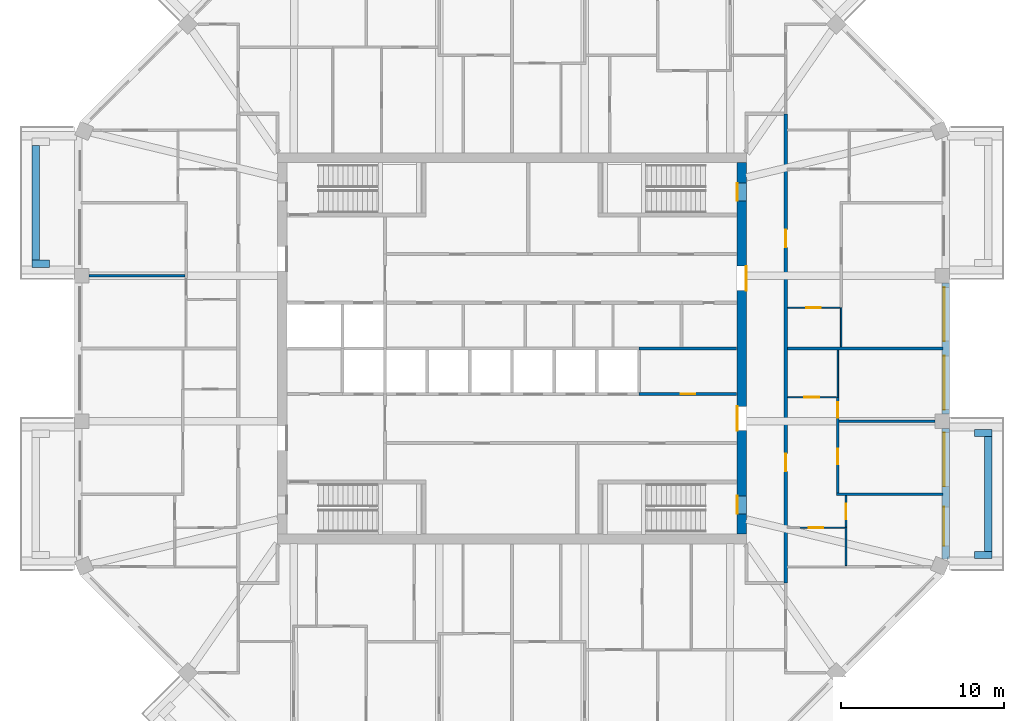
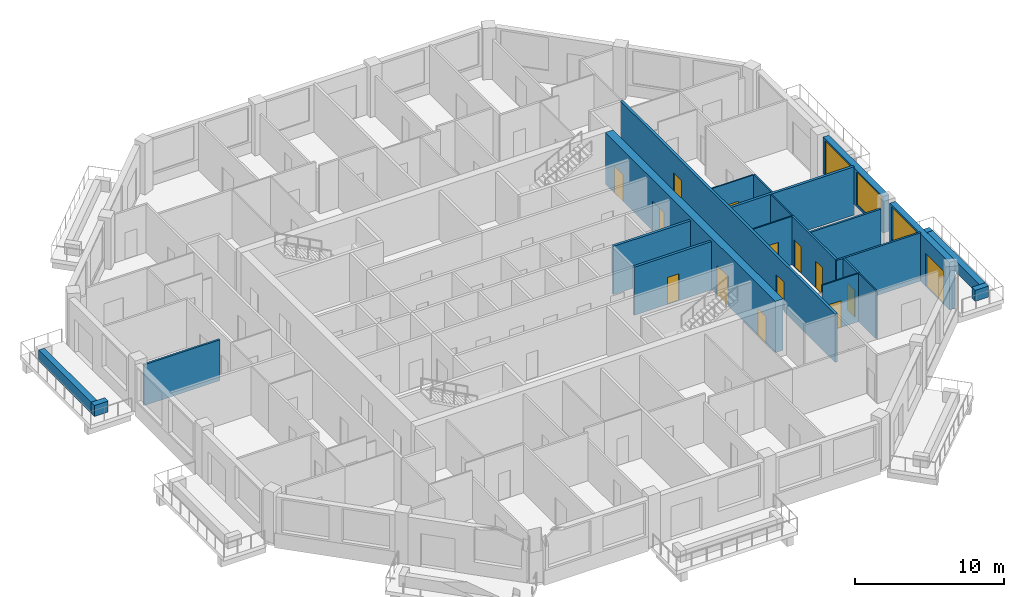
# One storey, part 6 of 12: 23 walls, 14 doors, 3 windows, 17 openings.
"""IFC4 building model written with IfcOpenShell, lengths in metres."""

import ifcopenshell
import ifcopenshell.guid

model = None  # the IFC model being written
_history = None  # IfcOwnerHistory: only IFC2X3 demands one
_inside = {}  # id of a spatial element -> (the spatial element, [elements in it])
_under = {}  # id of a project, library or spatial element -> (it, [spatial elements below it])
_declared = {}  # id of a project -> (the project, [libraries it declares])
_typed = {}  # id of a type object -> (the type object, [elements of that type])
_made_of = {}  # id of a material, layer set ... -> (it, [elements and type objects made of it])


def new_model(schema):
    """Start an empty IFC model of exactly this schema.

    Asked for "IFC4X3", IfcOpenShell would pick the latest addendum, in which some entities
    have other attributes; the version numbers below select the first issue.
    IFC2X3 requires an IfcOwnerHistory on every rooted entity: one is made here for all.
    """
    global model, _history
    if schema == "IFC4X3":
        model = ifcopenshell.file(schema_version=(4, 3, 0, 0))
    else:
        model = ifcopenshell.file(schema=schema)
    _inside.clear()
    _under.clear()
    _declared.clear()
    _typed.clear()
    _made_of.clear()
    _history = None
    if model.schema == "IFC2X3":
        org = make("IfcOrganization", Name="unknown")
        user = make(
            "IfcPersonAndOrganization",
            ThePerson=make("IfcPerson", FamilyName="unknown"),
            TheOrganization=org,
        )
        app = make(
            "IfcApplication",
            ApplicationDeveloper=org,
            Version="unknown",
            ApplicationFullName="unknown",
            ApplicationIdentifier="unknown",
        )
        _history = make(
            "IfcOwnerHistory",
            OwningUser=user,
            OwningApplication=app,
            ChangeAction="ADDED",
            CreationDate=0,
        )
    return model


def make(cls, **values):
    """One entity of the class cls with the attributes given. An attribute that is None is left unset."""
    return model.create_entity(
        cls, **{name: value for name, value in values.items() if value is not None}
    )


def rooted(cls, **values):
    """An entity with a GlobalId (a new one), such as an element, a storey or a relation."""
    return make(cls, GlobalId=ifcopenshell.guid.new(), OwnerHistory=_history, **values)


def si_unit(unit_type, name, prefix=None):
    """IfcSIUnit, for example si_unit("LENGTHUNIT", "METRE", prefix="MILLI")."""
    return make("IfcSIUnit", UnitType=unit_type, Prefix=prefix, Name=name)


def assignment(units):
    """IfcUnitAssignment: the units of a project."""
    return None if units is None else make("IfcUnitAssignment", Units=units)


def point(xyz):
    """IfcCartesianPoint."""
    return None if xyz is None else make("IfcCartesianPoint", Coordinates=xyz)


def direction(xyz):
    """IfcDirection."""
    return None if xyz is None else make("IfcDirection", DirectionRatios=xyz)


def frame(location, z_axis=None, x_axis=None):
    """IfcAxis2Placement3D, a coordinate frame: its origin and axes. An axis left out is left unset."""
    return make(
        "IfcAxis2Placement3D",
        Location=point(location),
        Axis=direction(z_axis),
        RefDirection=direction(x_axis),
    )


def frame_2d(location, x_axis=None):
    """IfcAxis2Placement2D, a coordinate frame in the plane: its origin and x axis."""
    return make(
        "IfcAxis2Placement2D", Location=point(location), RefDirection=direction(x_axis)
    )


def origin():
    """The frame at (0, 0, 0) with its axes left unset."""
    return frame((0.0, 0.0, 0.0))


def place(relative_to, where):
    """IfcLocalPlacement: puts the frame where relative to a parent placement (None: the world)."""
    return make(
        "IfcLocalPlacement", PlacementRelTo=relative_to, RelativePlacement=where
    )


def context(
    kind, dimensions, precision=None, world=None, true_north=None, identifier=None
):
    """IfcGeometricRepresentationContext, for example the 3D "Model" context."""
    return make(
        "IfcGeometricRepresentationContext",
        ContextIdentifier=identifier,
        ContextType=kind,
        CoordinateSpaceDimension=dimensions,
        Precision=precision,
        WorldCoordinateSystem=world,
        TrueNorth=true_north,
    )


def subcontext(parent, identifier, kind, view, scale=None):
    """IfcGeometricRepresentationSubContext, for example "Body" below "Model"."""
    return make(
        "IfcGeometricRepresentationSubContext",
        ContextIdentifier=identifier,
        ContextType=kind,
        ParentContext=parent,
        TargetScale=scale,
        TargetView=view,
    )


def project(units=None, contexts=None):
    """IfcProject with its units and contexts."""
    return rooted(
        "IfcProject",
        Name="project",
        RepresentationContexts=contexts,
        UnitsInContext=assignment(units),
    )


def spatial(cls, under=None, at=None, **own):
    """A site, building, storey or space (cls), placed at a placement, below another one or the project."""
    s = rooted(cls, ObjectPlacement=at, **own)
    if under is not None:
        _under.setdefault(under.id(), (under, []))[1].append(s)
    return s


def profile(cls, at=None, kind="AREA", **sizes):
    """A parametric profile (cls). Its sizes go by their IFC names, for example OverallWidth=200.0."""
    return make(cls, ProfileType=kind, Position=at, **sizes)


def rectangle(**sizes):
    """IfcRectangleProfileDef."""
    return profile("IfcRectangleProfileDef", **sizes)


def extrude(swept, where, along, depth):
    """IfcExtrudedAreaSolid: the profile swept, set in the frame where, extruded along a direction by depth."""
    return make(
        "IfcExtrudedAreaSolid",
        SweptArea=swept,
        Position=where,
        ExtrudedDirection=direction(along),
        Depth=depth,
    )


def shape(context_of_items, identifier, shape_type, items):
    """IfcShapeRepresentation: the items that make up one representation, for example the "Body"."""
    return make(
        "IfcShapeRepresentation",
        ContextOfItems=context_of_items,
        RepresentationIdentifier=identifier,
        RepresentationType=shape_type,
        Items=items,
    )


def material(Name=None, Category=None):
    """IfcMaterial."""
    return make("IfcMaterial", Name=Name, Category=Category)


def layer(
    of_material, thickness, ventilated=None, Name=None, Category=None, Priority=None
):
    """IfcMaterialLayer: one layer of a wall or slab, of a material (None: an air gap)."""
    return make(
        "IfcMaterialLayer",
        Material=of_material,
        LayerThickness=thickness,
        IsVentilated=ventilated,
        Name=Name,
        Category=Category,
        Priority=Priority,
    )


def layer_set(layers, Name=None):
    """IfcMaterialLayerSet."""
    return make("IfcMaterialLayerSet", MaterialLayers=layers, LayerSetName=Name)


def made_of(thing, what):
    """Note that an element or type object is made of a material, layer set ...; save() writes the relation."""
    if what is not None:
        _made_of.setdefault(what.id(), (what, []))[1].append(thing)
    return thing


def type_object(cls, material=None, **own):
    """A type object (cls), such as IfcWallType, which elements share."""
    return made_of(rooted(cls, **own), material)


def element(
    cls,
    number,
    at=None,
    inside=None,
    cuts=None,
    type_object=None,
    material=None,
    context=None,
    identifier="Body",
    shape_type=None,
    held_by="IfcProductDefinitionShape",
    body=None,
    shapes=None,
    **own,
):
    """One element of the class cls, such as IfcWall. Its Tag is "e" and its number.

    at: its placement. inside: the storey or other place that contains it. cuts: it is an
    opening in that element (IfcRelVoidsElement). A single representation is given by context,
    identifier, shape_type and body (its items); several are given by shapes. held_by: the class
    of the entity that holds the representations. save() writes the other relations.
    """
    e = rooted(cls, Tag="e%d" % number, ObjectPlacement=at, **own)
    if body is not None:
        shapes = [shape(context, identifier, shape_type, body)]
    if shapes is not None:
        e.Representation = make(held_by, Representations=shapes)
    if inside is not None:
        _inside.setdefault(inside.id(), (inside, []))[1].append(e)
    if cuts is not None:
        rooted(
            "IfcRelVoidsElement", RelatingBuildingElement=cuts, RelatedOpeningElement=e
        )
    if type_object is not None:
        _typed.setdefault(type_object.id(), (type_object, []))[1].append(e)
    return made_of(e, material)


def fill(opening, filler):
    """IfcRelFillsElement: the door or window that sits in an opening."""
    return rooted(
        "IfcRelFillsElement",
        RelatingOpeningElement=opening,
        RelatedBuildingElement=filler,
    )


def aggregate(whole, parts):
    """IfcRelAggregates: a whole, such as a stair, and the parts it consists of."""
    return rooted("IfcRelAggregates", RelatingObject=whole, RelatedObjects=parts)


def save(model, path):
    """Write the relations noted so far, then the file.

    IfcRelAggregates (storeys below a building ...), IfcRelContainedInSpatialStructure (elements
    in a storey), IfcRelDefinesByType, IfcRelAssociatesMaterial and IfcRelDeclares: one each for
    every whole, place, type object, material and project.
    """
    for whole, parts in _under.values():
        aggregate(whole, parts)
    for where, things in _inside.values():
        rooted(
            "IfcRelContainedInSpatialStructure",
            RelatedElements=things,
            RelatingStructure=where,
        )
    for kind, things in _typed.values():
        rooted("IfcRelDefinesByType", RelatedObjects=things, RelatingType=kind)
    for what, things in _made_of.values():
        rooted("IfcRelAssociatesMaterial", RelatedObjects=things, RelatingMaterial=what)
    for by, libraries in _declared.values():
        rooted("IfcRelDeclares", RelatingContext=by, RelatedDefinitions=libraries)
    model.write(path)


model = new_model("IFC4")

# Units and contexts
model_context = context("Model", 3, precision=1e-05, world=origin(), true_north=direction((0.0, 1.0)))
body_context = subcontext(model_context, "Body", "Model", "MODEL_VIEW")
ifc_project = project(units=[si_unit("LENGTHUNIT", "METRE"), si_unit("AREAUNIT", "SQUARE_METRE"), si_unit("VOLUMEUNIT", "CUBIC_METRE"), si_unit("PLANEANGLEUNIT", "RADIAN"), si_unit("MASSUNIT", "GRAM", prefix="KILO")], contexts=[model_context])

# Site, building, storey
site_placement = place(None, origin())
site = spatial("IfcSite", under=ifc_project, at=site_placement, CompositionType="ELEMENT")
building_placement = place(site_placement, origin())
building = spatial("IfcBuilding", under=site, at=building_placement, Name="Msitu Wima Residences", CompositionType="ELEMENT")
storey_placement = place(building_placement, frame((0.0, 0.0, 272.699951171875)))
storey = spatial("IfcBuildingStorey", under=building, at=storey_placement, Name="L63", CompositionType="ELEMENT", Elevation=272.699951171875)

# Walls
ifc_material_1 = material(Name="Facing brick")
ifc_layer_1 = layer(ifc_material_1, 0.06494140625, Name="Facing brick")
ifc_material_2 = material(Name="Concrete C40/50", Category="concrete")
ifc_layer_2 = layer(ifc_material_2, 0.156005859375, Name="Concrete C40/50")
ifc_material_3 = material(Name="Waterproofing membrane")
ifc_layer_3 = layer(ifc_material_3, 0.00390625, Name="Waterproofing membrane")
ifc_material_4 = material(Name="Planting soil and planting")
ifc_layer_4 = layer(ifc_material_4, 0.22509765625, Name="Planting soil and planting")
ifc_layer_set_1 = layer_set([ifc_layer_1, ifc_layer_2, ifc_layer_3, ifc_layer_4], Name="Concrete C40/50")
wall_type_1 = type_object("IfcWallType", Name="Balcony planter PLANTER PL450", PredefinedType="USERDEFINED", material=ifc_layer_set_1)
wall_1_placement = place(storey_placement, frame((29.22509765625, -12.455810546875, 0.0), z_axis=(0.0, 0.0, 1.0), x_axis=(0.0, 1.0, 0.0)))
element("IfcWall", 1, at=wall_1_placement, inside=storey, type_object=wall_type_1, Name="Balcony planter E0 L63", ObjectType="PLANTER", PredefinedType="USERDEFINED", context=body_context, shape_type="SweptSolid", body=[
    extrude(rectangle(XDim=7.037109375, YDim=0.449951171875, at=frame_2d((3.5185546875, 0.0))), origin(), (0.0, 0.0, 1.0), 0.900146484375),
])
for number, where, z_axis, x_axis, name in (
    (2, (28.39990234375, -12.680908203125, 0.0), (0.0, 0.0, 1.0), (1.0, 0.0, 0.0), "Balcony planter E0 L63"),
    (3, (28.39990234375, -5.193603515625, 0.0), (0.0, 0.0, 1.0), (1.0, 0.0, 0.0), "Balcony planter E0 L63"),
):
    element("IfcWall", number, at=place(storey_placement, frame(where, z_axis=z_axis, x_axis=x_axis)), inside=storey, type_object=wall_type_1, Name=name, ObjectType="PLANTER", PredefinedType="USERDEFINED", context=body_context, shape_type="SweptSolid", body=[
        extrude(rectangle(XDim=1.050048828125, YDim=0.449951171875, at=frame_2d((0.52490234375, 0.0))), origin(), (0.0, 0.0, 1.0), 0.900146484375),
    ])
wall_2_placement = place(storey_placement, frame((-29.22509765625, 12.455810546875, 0.0), z_axis=(0.0, 0.0, 1.0), x_axis=(0.0, -1.0, 0.0)))
element("IfcWall", 4, at=wall_2_placement, inside=storey, type_object=wall_type_1, Name="Balcony planter W0 L63", ObjectType="PLANTER", PredefinedType="USERDEFINED", context=body_context, shape_type="SweptSolid", body=[
    extrude(rectangle(XDim=7.037109375, YDim=0.449951171875, at=frame_2d((3.5185546875, 0.0))), origin(), (0.0, 0.0, 1.0), 0.900146484375),
])
wall_3_placement = place(storey_placement, frame((-28.39990234375, 5.193603515625, 0.0), z_axis=(0.0, 0.0, 1.0), x_axis=(-1.0, 0.0, 0.0)))
element("IfcWall", 5, at=wall_3_placement, inside=storey, type_object=wall_type_1, Name="Balcony planter W0 L63", ObjectType="PLANTER", PredefinedType="USERDEFINED", context=body_context, shape_type="SweptSolid", body=[
    extrude(rectangle(XDim=1.050048828125, YDim=0.449951171875, at=frame_2d((0.52490234375, 0.0))), origin(), (0.0, 0.0, 1.0), 0.900146484375),
])

# Wall, openings, door, window
ifc_material_5 = material(Name="Brick (red buff mix)", Category="masonry")
ifc_layer_5 = layer(ifc_material_5, 0.449951171875)
ifc_layer_set_2 = layer_set([ifc_layer_5], Name="Brick (red buff mix)")
wall_type_2 = type_object("IfcWallType", Name="Brick infill wall BW450", PredefinedType="SOLIDWALL", material=ifc_layer_set_2)
wall_4_placement = place(storey_placement, frame((26.625, -12.918701171875, 0.0), z_axis=(0.0, 0.0, 1.0), x_axis=(0.0, 1.0, 0.0)))
wall_4 = element("IfcWall", 6, at=wall_4_placement, inside=storey, type_object=wall_type_2, Name="Brick infill wall L63 E0", PredefinedType="SOLIDWALL", context=body_context, shape_type="SweptSolid", body=[
    extrude(rectangle(XDim=8.0, YDim=0.449951171875, at=frame_2d((4.0, 0.0))), origin(), (0.0, 0.0, 1.0), 3.900146484375),
])
opening_1_placement = place(wall_4_placement, frame((0.800048828125, 0.0, 0.0)))
opening_1 = element("IfcOpeningElement", 7, at=opening_1_placement, cuts=wall_4, Name="Opening D63-64.001", PredefinedType="OPENING", context=body_context, shape_type="SweptSolid", body=[
    extrude(rectangle(XDim=2.39990234375, YDim=2.699951171875, at=frame_2d((1.199951171875, 1.35009765625))), frame((0.0, 0.23486328125, 0.0), z_axis=(0.0, -1.0, 0.0), x_axis=(1.0, 0.0, 0.0)), (0.0, 0.0, 1.0), 0.469970703125),
])
opening_2_placement = place(wall_4_placement, frame((4.4501953125, 0.0, 1.050048828125)))
opening_2 = element("IfcOpeningElement", 8, at=opening_2_placement, cuts=wall_4, Name="Opening W63-64.001", PredefinedType="OPENING", context=body_context, shape_type="SweptSolid", body=[
    extrude(rectangle(XDim=3.300048828125, YDim=2.699951171875, at=frame_2d((1.64990234375, 1.35009765625))), frame((0.0, 0.23486328125, 0.0), z_axis=(0.0, -1.0, 0.0), x_axis=(1.0, 0.0, 0.0)), (0.0, 0.0, 1.0), 0.469970703125),
])
ifc_material_6 = material(Name="Anodised aluminium, bronze finish, clear low-emissivity double glazing", Category="aluminium")
door_type_1 = type_object("IfcDoorType", Name="Balcony door D2400x2700", OperationType="SLIDING_TO_LEFT", PredefinedType="DOOR", material=ifc_material_6)
door_1_placement = place(opening_1_placement, origin())
door_1 = element("IfcDoor", 9, at=door_1_placement, inside=storey, type_object=door_type_1, Name="Balcony door L63 E0", OperationType="SINGLE_SWING_LEFT", OverallHeight=2.699951171875, OverallWidth=2.39990234375, PredefinedType="DOOR", context=body_context, shape_type="SweptSolid", body=[
    extrude(rectangle(XDim=2.39990234375, YDim=2.699951171875, at=frame_2d((1.199951171875, 1.35009765625))), frame((0.0, 0.1298828125, 0.0), z_axis=(0.0, -1.0, 0.0), x_axis=(1.0, 0.0, 0.0)), (0.0, 0.0, 1.0), 0.050048828125),
])
fill(opening_1, door_1)
window_type = type_object("IfcWindowType", Name="Window W3300x2700", PartitioningType="DOUBLE_PANEL_VERTICAL", PredefinedType="WINDOW", material=ifc_material_6)
window_1_placement = place(opening_2_placement, origin())
window_1 = element("IfcWindow", 10, at=window_1_placement, inside=storey, type_object=window_type, Name="Window L63 E0.2", OverallHeight=2.699951171875, OverallWidth=3.300048828125, PartitioningType="SINGLE_PANEL", PredefinedType="WINDOW", context=body_context, shape_type="SweptSolid", body=[
    extrude(rectangle(XDim=3.300048828125, YDim=2.699951171875, at=frame_2d((1.64990234375, 1.35009765625))), frame((0.0, 0.135009765625, 0.0), z_axis=(0.0, -1.0, 0.0), x_axis=(1.0, 0.0, 0.0)), (0.0, 0.0, 1.0), 0.06005859375),
])
fill(opening_2, window_1)

# Wall, openings, windows
wall_5_placement = place(storey_placement, frame((26.625, -4.0185546875, 0.900146484375), z_axis=(0.0, 0.0, 1.0), x_axis=(0.0, 1.0, 0.0)))
wall_5 = element("IfcWall", 11, at=wall_5_placement, inside=storey, type_object=wall_type_2, Name="Brick infill wall L63 E1", PredefinedType="SOLIDWALL", context=body_context, shape_type="SweptSolid", body=[
    extrude(rectangle(XDim=8.037109375, YDim=0.449951171875, at=frame_2d((4.0185546875, 0.0))), origin(), (0.0, 0.0, 1.0), 3.0),
])
opening_3_placement = place(wall_5_placement, frame((0.2685546875, 0.0, 0.14990234375)))
opening_3 = element("IfcOpeningElement", 12, at=opening_3_placement, cuts=wall_5, Name="Opening W63-64.002", PredefinedType="OPENING", context=body_context, shape_type="SweptSolid", body=[
    extrude(rectangle(XDim=3.300048828125, YDim=2.699951171875, at=frame_2d((1.64990234375, 1.35009765625))), frame((0.0, 0.23486328125, 0.0), z_axis=(0.0, -1.0, 0.0), x_axis=(1.0, 0.0, 0.0)), (0.0, 0.0, 1.0), 0.469970703125),
])
opening_4_placement = place(wall_5_placement, frame((4.46875, 0.0, 0.14990234375)))
opening_4 = element("IfcOpeningElement", 13, at=opening_4_placement, cuts=wall_5, Name="Opening W63-64.003", PredefinedType="OPENING", context=body_context, shape_type="SweptSolid", body=[
    extrude(rectangle(XDim=3.300048828125, YDim=2.699951171875, at=frame_2d((1.64990234375, 1.35009765625))), frame((0.0, 0.23486328125, 0.0), z_axis=(0.0, -1.0, 0.0), x_axis=(1.0, 0.0, 0.0)), (0.0, 0.0, 1.0), 0.469970703125),
])
window_2_placement = place(opening_3_placement, origin())
window_2 = element("IfcWindow", 14, at=window_2_placement, inside=storey, type_object=window_type, Name="Window L63 E1.1", OverallHeight=2.699951171875, OverallWidth=3.300048828125, PartitioningType="SINGLE_PANEL", PredefinedType="WINDOW", context=body_context, shape_type="SweptSolid", body=[
    extrude(rectangle(XDim=3.300048828125, YDim=2.699951171875, at=frame_2d((1.64990234375, 1.35009765625))), frame((0.0, 0.135009765625, 0.0), z_axis=(0.0, -1.0, 0.0), x_axis=(1.0, 0.0, 0.0)), (0.0, 0.0, 1.0), 0.06005859375),
])
fill(opening_3, window_2)
window_3_placement = place(opening_4_placement, origin())
window_3 = element("IfcWindow", 15, at=window_3_placement, inside=storey, type_object=window_type, Name="Window L63 E1.2", OverallHeight=2.699951171875, OverallWidth=3.300048828125, PartitioningType="SINGLE_PANEL", PredefinedType="WINDOW", context=body_context, shape_type="SweptSolid", body=[
    extrude(rectangle(XDim=3.300048828125, YDim=2.699951171875, at=frame_2d((1.64990234375, 1.35009765625))), frame((0.0, 0.135009765625, 0.0), z_axis=(0.0, -1.0, 0.0), x_axis=(1.0, 0.0, 0.0)), (0.0, 0.0, 1.0), 0.06005859375),
])
fill(opening_4, window_3)

# Wall, openings, doors
ifc_material_7 = material(Name="Concrete C50/60", Category="concrete")
ifc_layer_6 = layer(ifc_material_7, 0.60009765625)
ifc_layer_set_3 = layer_set([ifc_layer_6], Name="Concrete C50/60")
wall_type_3 = type_object("IfcWallType", Name="Core wall CW600 C50/60", PredefinedType="SHEAR", material=ifc_layer_set_3)
wall_6_placement = place(storey_placement, frame((14.10009765625, -11.39990234375, 0.0), z_axis=(0.0, 0.0, 1.0), x_axis=(0.0, 1.0, 0.0)))
wall_6 = element("IfcWall", 16, at=wall_6_placement, inside=storey, type_object=wall_type_3, Name="Core wall", PredefinedType="SHEAR", context=body_context, shape_type="SweptSolid", body=[
    extrude(rectangle(XDim=22.7998046875, YDim=0.60009765625, at=frame_2d((11.39990234375, 0.0))), origin(), (0.0, 0.0, 1.0), 4.199951171875),
])
opening_5_placement = place(wall_6_placement, frame((20.449951171875, 0.0, 0.0)))
opening_5 = element("IfcOpeningElement", 17, at=opening_5_placement, cuts=wall_6, Name="Opening D63-64.090", PredefinedType="OPENING", context=body_context, shape_type="SweptSolid", body=[
    extrude(rectangle(XDim=1.10009765625, YDim=2.199951171875, at=frame_2d((0.550048828125, 1.10009765625))), frame((0.0, 0.31005859375, 0.0), z_axis=(0.0, -1.0, 0.0), x_axis=(1.0, 0.0, 0.0)), (0.0, 0.0, 1.0), 0.6201171875),
])
opening_6_placement = place(wall_6_placement, frame((1.25, 0.0, 0.0)))
opening_6 = element("IfcOpeningElement", 18, at=opening_6_placement, cuts=wall_6, Name="Opening D63-64.091", PredefinedType="OPENING", context=body_context, shape_type="SweptSolid", body=[
    extrude(rectangle(XDim=1.10009765625, YDim=2.199951171875, at=frame_2d((0.550048828125, 1.10009765625))), frame((0.0, 0.31005859375, 0.0), z_axis=(0.0, -1.0, 0.0), x_axis=(1.0, 0.0, 0.0)), (0.0, 0.0, 1.0), 0.6201171875),
])
opening_7_placement = place(wall_6_placement, frame((14.949951171875, 0.0, 0.0)))
opening_7 = element("IfcOpeningElement", 19, at=opening_7_placement, cuts=wall_6, Name="Opening D63-64.077", PredefinedType="OPENING", context=body_context, shape_type="SweptSolid", body=[
    extrude(rectangle(XDim=1.5, YDim=2.39990234375, at=frame_2d((0.75, 1.199951171875))), frame((0.0, 0.31005859375, 0.0), z_axis=(0.0, -1.0, 0.0), x_axis=(1.0, 0.0, 0.0)), (0.0, 0.0, 1.0), 0.6201171875),
])
opening_8_placement = place(wall_6_placement, frame((6.35009765625, 0.0, 0.0)))
opening_8 = element("IfcOpeningElement", 20, at=opening_8_placement, cuts=wall_6, Name="Opening D63-64.078", PredefinedType="OPENING", context=body_context, shape_type="SweptSolid", body=[
    extrude(rectangle(XDim=1.5, YDim=2.39990234375, at=frame_2d((0.75, 1.199951171875))), frame((0.0, 0.31005859375, 0.0), z_axis=(0.0, -1.0, 0.0), x_axis=(1.0, 0.0, 0.0)), (0.0, 0.0, 1.0), 0.6201171875),
])
ifc_material_8 = material(Name="Steel framed glazed door, fire resisting", Category="steel")
door_type_2 = type_object("IfcDoorType", Name="Lobby door D07 1500x2400", OperationType="DOUBLE_DOOR_SINGLE_SWING", PredefinedType="DOOR", material=ifc_material_8)
door_2_placement = place(opening_7_placement, origin())
door_2 = element("IfcDoor", 21, at=door_2_placement, inside=storey, type_object=door_type_2, Name="Lobby door", OperationType="DOUBLE_DOOR_SINGLE_SWING", OverallHeight=2.39990234375, OverallWidth=1.5, PredefinedType="DOOR", context=body_context, shape_type="SweptSolid", body=[
    extrude(rectangle(XDim=1.5, YDim=2.39990234375, at=frame_2d((0.75, 1.199951171875))), frame((0.0, -0.2451171875, 0.0), z_axis=(0.0, -1.0, 0.0), x_axis=(1.0, 0.0, 0.0)), (0.0, 0.0, 1.0), 0.050048828125),
])
fill(opening_7, door_2)
door_3_placement = place(opening_8_placement, origin())
door_3 = element("IfcDoor", 22, at=door_3_placement, inside=storey, type_object=door_type_2, Name="Lobby door", OperationType="DOUBLE_DOOR_SINGLE_SWING", OverallHeight=2.39990234375, OverallWidth=1.5, PredefinedType="DOOR", context=body_context, shape_type="SweptSolid", body=[
    extrude(rectangle(XDim=1.5, YDim=2.39990234375, at=frame_2d((0.75, 1.199951171875))), frame((0.0, 0.294921875, 0.0), z_axis=(0.0, -1.0, 0.0), x_axis=(1.0, 0.0, 0.0)), (0.0, 0.0, 1.0), 0.050048828125),
])
fill(opening_8, door_3)
ifc_material_9 = material(Name="Steel door, fire resisting, panic bar", Category="steel")
door_type_3 = type_object("IfcDoorType", Name="Stair door D06 1100x2200", OperationType="SINGLE_SWING_LEFT", PredefinedType="DOOR", material=ifc_material_9)
door_4_placement = place(opening_5_placement, origin())
door_4 = element("IfcDoor", 23, at=door_4_placement, inside=storey, type_object=door_type_3, Name="Stair door", OperationType="SINGLE_SWING_LEFT", OverallHeight=2.199951171875, OverallWidth=1.10009765625, PredefinedType="DOOR", context=body_context, shape_type="SweptSolid", body=[
    extrude(rectangle(XDim=1.10009765625, YDim=2.199951171875, at=frame_2d((0.550048828125, 1.10009765625))), frame((0.0, 0.294921875, 0.0), z_axis=(0.0, -1.0, 0.0), x_axis=(1.0, 0.0, 0.0)), (0.0, 0.0, 1.0), 0.050048828125),
])
fill(opening_5, door_4)
door_5_placement = place(opening_6_placement, origin())
door_5 = element("IfcDoor", 24, at=door_5_placement, inside=storey, type_object=door_type_3, Name="Stair door", OperationType="SINGLE_SWING_RIGHT", OverallHeight=2.199951171875, OverallWidth=1.10009765625, PredefinedType="DOOR", context=body_context, shape_type="SweptSolid", body=[
    extrude(rectangle(XDim=1.10009765625, YDim=2.199951171875, at=frame_2d((0.550048828125, 1.10009765625))), frame((0.0, 0.294921875, 0.0), z_axis=(0.0, -1.0, 0.0), x_axis=(1.0, 0.0, 0.0)), (0.0, 0.0, 1.0), 0.050048828125),
])
fill(opening_6, door_5)

ifc_material_10 = material(Name="Plaster")
ifc_layer_7 = layer(ifc_material_10, 0.011962890625, Name="Plaster")
ifc_material_11 = material(Name="Concrete blockwork", Category="masonry")
ifc_layer_8 = layer(ifc_material_11, 0.176025390625, Name="Concrete blockwork")
ifc_layer_9 = layer(ifc_material_10, 0.011962890625, Name="Plaster")
ifc_layer_set_4 = layer_set([ifc_layer_7, ifc_layer_8, ifc_layer_9], Name="Concrete blockwork")
wall_type_4 = type_object("IfcWallType", Name="Corridor wall FW200", PredefinedType="PARTITIONING", material=ifc_layer_set_4)
wall_7_placement = place(storey_placement, frame((16.800048828125, -14.39990234375, 0.0), z_axis=(0.0, 0.0, 1.0), x_axis=(0.0, 1.0, 0.0)))
wall_7 = element("IfcWall", 25, at=wall_7_placement, inside=storey, type_object=wall_type_4, Name="Corridor wall", PredefinedType="PARTITIONING", context=body_context, shape_type="SweptSolid", body=[
    extrude(rectangle(XDim=28.7998046875, YDim=0.199951171875, at=frame_2d((14.39990234375, 0.0))), origin(), (0.0, 0.0, 1.0), 3.949951171875),
])
opening_9_placement = place(wall_7_placement, frame((20.60009765625, 0.0, 0.0)))
opening_9 = element("IfcOpeningElement", 26, at=opening_9_placement, cuts=wall_7, Name="Opening D63-64.011", PredefinedType="OPENING", context=body_context, shape_type="SweptSolid", body=[
    extrude(rectangle(XDim=1.10009765625, YDim=2.39990234375, at=frame_2d((0.550048828125, 1.199951171875))), frame((0.0, 0.10986328125, 0.0), z_axis=(0.0, -1.0, 0.0), x_axis=(1.0, 0.0, 0.0)), (0.0, 0.0, 1.0), 0.219970703125),
])
opening_10_placement = place(wall_7_placement, frame((6.85009765625, 0.0, 0.0)))
opening_10 = element("IfcOpeningElement", 27, at=opening_10_placement, cuts=wall_7, Name="Opening D63-64.053", PredefinedType="OPENING", context=body_context, shape_type="SweptSolid", body=[
    extrude(rectangle(XDim=1.10009765625, YDim=2.39990234375, at=frame_2d((0.550048828125, 1.199951171875))), frame((0.0, 0.10986328125, 0.0), z_axis=(0.0, -1.0, 0.0), x_axis=(1.0, 0.0, 0.0)), (0.0, 0.0, 1.0), 0.219970703125),
])
ifc_material_12 = material(Name="Timber flush door, fire resisting, self-closing", Category="wood")
door_type_4 = type_object("IfcDoorType", Name="Flat entrance door D01 1100x2400", OperationType="SINGLE_SWING_LEFT", PredefinedType="DOOR", material=ifc_material_12)
door_6_placement = place(opening_9_placement, origin())
door_6 = element("IfcDoor", 28, at=door_6_placement, inside=storey, type_object=door_type_4, Name="Flat entrance door", OperationType="SINGLE_SWING_LEFT", OverallHeight=2.39990234375, OverallWidth=1.10009765625, PredefinedType="DOOR", context=body_context, shape_type="SweptSolid", body=[
    extrude(rectangle(XDim=1.10009765625, YDim=2.39990234375, at=frame_2d((0.550048828125, 1.199951171875))), frame((0.0, 0.02490234375, 0.0), z_axis=(0.0, -1.0, 0.0), x_axis=(1.0, 0.0, 0.0)), (0.0, 0.0, 1.0), 0.050048828125),
])
fill(opening_9, door_6)
door_7_placement = place(opening_10_placement, origin())
door_7 = element("IfcDoor", 29, at=door_7_placement, inside=storey, type_object=door_type_4, Name="Flat entrance door", OperationType="SINGLE_SWING_RIGHT", OverallHeight=2.39990234375, OverallWidth=1.10009765625, PredefinedType="DOOR", context=body_context, shape_type="SweptSolid", body=[
    extrude(rectangle(XDim=1.10009765625, YDim=2.39990234375, at=frame_2d((0.550048828125, 1.199951171875))), frame((0.0, 0.02490234375, 0.0), z_axis=(0.0, -1.0, 0.0), x_axis=(1.0, 0.0, 0.0)), (0.0, 0.0, 1.0), 0.050048828125),
])
fill(opening_10, door_7)

# Wall
ifc_layer_10 = layer(ifc_material_10, 0.011962890625, Name="Plaster")
ifc_layer_11 = layer(ifc_material_11, 0.1259765625, Name="Concrete blockwork")
ifc_layer_12 = layer(ifc_material_10, 0.011962890625, Name="Plaster")
ifc_layer_set_5 = layer_set([ifc_layer_10, ifc_layer_11, ifc_layer_12], Name="Concrete blockwork")
wall_type_5 = type_object("IfcWallType", Name="Partition PW150", PredefinedType="PARTITIONING", material=ifc_layer_set_5)
wall_8_placement = place(storey_placement, frame((-25.949951171875, 4.46875, 0.0), z_axis=(0.0, 0.0, 1.0), x_axis=(1.0, 0.0, 0.0)))
element("IfcWall", 30, at=wall_8_placement, inside=storey, type_object=wall_type_5, Name="Partition", PredefinedType="PARTITIONING", context=body_context, shape_type="SweptSolid", body=[
    extrude(rectangle(XDim=5.875, YDim=0.14990234375, at=frame_2d((2.9375, 0.0))), origin(), (0.0, 0.0, 1.0), 3.35009765625),
])

# Wall, openings, doors
wall_9_placement = place(storey_placement, frame((20.0, -8.8623046875, 0.0), z_axis=(0.0, 0.0, 1.0), x_axis=(0.0, 1.0, 0.0)))
wall_9 = element("IfcWall", 31, at=wall_9_placement, inside=storey, type_object=wall_type_5, Name="Partition", PredefinedType="PARTITIONING", context=body_context, shape_type="SweptSolid", body=[
    extrude(rectangle(XDim=5.8623046875, YDim=0.14990234375, at=frame_2d((2.93115234375, 0.0))), origin(), (0.0, 0.0, 1.0), 3.949951171875),
])
opening_11_placement = place(wall_9_placement, frame((4.60009765625, 0.0, 0.0)))
opening_11 = element("IfcOpeningElement", 32, at=opening_11_placement, cuts=wall_9, Name="Opening D63-64.060", PredefinedType="OPENING", context=body_context, shape_type="SweptSolid", body=[
    extrude(rectangle(XDim=0.949951171875, YDim=2.199951171875, at=frame_2d((0.47509765625, 1.10009765625))), frame((0.0, 0.0849609375, 0.0), z_axis=(0.0, -1.0, 0.0), x_axis=(1.0, 0.0, 0.0)), (0.0, 0.0, 1.0), 0.169921875),
])
opening_12_placement = place(wall_9_placement, frame((1.75, 0.0, 0.0)))
opening_12 = element("IfcOpeningElement", 33, at=opening_12_placement, cuts=wall_9, Name="Opening D63-64.061", PredefinedType="OPENING", context=body_context, shape_type="SweptSolid", body=[
    extrude(rectangle(XDim=0.949951171875, YDim=2.199951171875, at=frame_2d((0.47509765625, 1.10009765625))), frame((0.0, 0.0849609375, 0.0), z_axis=(0.0, -1.0, 0.0), x_axis=(1.0, 0.0, 0.0)), (0.0, 0.0, 1.0), 0.169921875),
])
ifc_material_13 = material(Name="Timber flush door", Category="wood")
door_type_5 = type_object("IfcDoorType", Name="Room door D12 950x2200", OperationType="SINGLE_SWING_LEFT", PredefinedType="DOOR", material=ifc_material_13)
door_8_placement = place(opening_11_placement, origin())
door_8 = element("IfcDoor", 34, at=door_8_placement, inside=storey, type_object=door_type_5, Name="Room door", OperationType="SINGLE_SWING_RIGHT", OverallHeight=2.199951171875, OverallWidth=0.949951171875, PredefinedType="DOOR", context=body_context, shape_type="SweptSolid", body=[
    extrude(rectangle(XDim=0.949951171875, YDim=2.199951171875, at=frame_2d((0.47509765625, 1.10009765625))), frame((0.0, 0.02490234375, 0.0), z_axis=(0.0, -1.0, 0.0), x_axis=(1.0, 0.0, 0.0)), (0.0, 0.0, 1.0), 0.050048828125),
])
fill(opening_11, door_8)
door_9_placement = place(opening_12_placement, origin())
door_9 = element("IfcDoor", 35, at=door_9_placement, inside=storey, type_object=door_type_5, Name="Room door", OperationType="SINGLE_SWING_LEFT", OverallHeight=2.199951171875, OverallWidth=0.949951171875, PredefinedType="DOOR", context=body_context, shape_type="SweptSolid", body=[
    extrude(rectangle(XDim=0.949951171875, YDim=2.199951171875, at=frame_2d((0.47509765625, 1.10009765625))), frame((0.0, 0.02490234375, 0.0), z_axis=(0.0, -1.0, 0.0), x_axis=(1.0, 0.0, 0.0)), (0.0, 0.0, 1.0), 0.050048828125),
])
fill(opening_12, door_9)

# Walls
wall_10_placement = place(storey_placement, frame((19.925048828125, -8.937255859375, 0.0), z_axis=(0.0, 0.0, 1.0), x_axis=(1.0, 0.0, 0.0)))
element("IfcWall", 36, at=wall_10_placement, inside=storey, type_object=wall_type_5, Name="Partition", PredefinedType="PARTITIONING", context=body_context, shape_type="SweptSolid", body=[
    extrude(rectangle(XDim=6.530029296875, YDim=0.14990234375, at=frame_2d((3.26513671875, 0.0))), origin(), (0.0, 0.0, 1.0), 3.949951171875),
])
wall_11_placement = place(storey_placement, frame((20.074951171875, -4.46875, 0.0), z_axis=(0.0, 0.0, 1.0), x_axis=(1.0, 0.0, 0.0)))
element("IfcWall", 37, at=wall_11_placement, inside=storey, type_object=wall_type_5, Name="Partition", PredefinedType="PARTITIONING", context=body_context, shape_type="SweptSolid", body=[
    extrude(rectangle(XDim=5.875, YDim=0.14990234375, at=frame_2d((2.9375, 0.0))), origin(), (0.0, 0.0, 1.0), 3.35009765625),
])

# Wall, opening, door
wall_12_placement = place(storey_placement, frame((20.5, -10.97998046875, 0.0), z_axis=(0.0, 0.0, 1.0), x_axis=(0.0, 1.0, 0.0)))
wall_12 = element("IfcWall", 38, at=wall_12_placement, inside=storey, type_object=wall_type_5, Name="Partition", PredefinedType="PARTITIONING", context=body_context, shape_type="SweptSolid", body=[
    extrude(rectangle(XDim=1.9677734375, YDim=0.14990234375, at=frame_2d((0.98388671875, 0.0))), origin(), (0.0, 0.0, 1.0), 3.949951171875),
])
opening_13_placement = place(wall_12_placement, frame((0.5, 0.0, 0.0)))
opening_13 = element("IfcOpeningElement", 39, at=opening_13_placement, cuts=wall_12, Name="Opening D63-64.062", PredefinedType="OPENING", context=body_context, shape_type="SweptSolid", body=[
    extrude(rectangle(XDim=0.949951171875, YDim=2.199951171875, at=frame_2d((0.47509765625, 1.10009765625))), frame((0.0, 0.0849609375, 0.0), z_axis=(0.0, -1.0, 0.0), x_axis=(1.0, 0.0, 0.0)), (0.0, 0.0, 1.0), 0.169921875),
])
door_10_placement = place(opening_13_placement, origin())
door_10 = element("IfcDoor", 40, at=door_10_placement, inside=storey, type_object=door_type_5, Name="Room door", OperationType="SINGLE_SWING_LEFT", OverallHeight=2.199951171875, OverallWidth=0.949951171875, PredefinedType="DOOR", context=body_context, shape_type="SweptSolid", body=[
    extrude(rectangle(XDim=0.949951171875, YDim=2.199951171875, at=frame_2d((0.47509765625, 1.10009765625))), frame((0.0, 0.02490234375, 0.0), z_axis=(0.0, -1.0, 0.0), x_axis=(1.0, 0.0, 0.0)), (0.0, 0.0, 1.0), 0.050048828125),
])
fill(opening_13, door_10)

# Wall
ifc_layer_13 = layer(ifc_material_10, 0.011962890625, Name="Plaster")
ifc_material_14 = material(Name="Dense concrete blockwork", Category="masonry")
ifc_layer_14 = layer(ifc_material_14, 0.176025390625, Name="Dense concrete blockwork")
ifc_layer_15 = layer(ifc_material_10, 0.011962890625, Name="Plaster")
ifc_layer_set_6 = layer_set([ifc_layer_13, ifc_layer_14, ifc_layer_15], Name="Dense concrete blockwork")
wall_type_6 = type_object("IfcWallType", Name="Party wall PW200", PredefinedType="PARTITIONING", material=ifc_layer_set_6)
wall_13_placement = place(storey_placement, frame((16.89990234375, 0.0, 0.0), z_axis=(0.0, 0.0, 1.0), x_axis=(1.0, 0.0, 0.0)))
element("IfcWall", 41, at=wall_13_placement, inside=storey, type_object=wall_type_6, Name="Party wall", PredefinedType="PARTITIONING", context=body_context, shape_type="SweptSolid", body=[
    extrude(rectangle(XDim=9.55517578125, YDim=0.199951171875, at=frame_2d((4.777587890625, 0.0))), origin(), (0.0, 0.0, 1.0), 3.949951171875),
])

# Wall, opening, door
ifc_layer_16 = layer(ifc_material_10, 0.011962890625, Name="Plaster")
ifc_material_15 = material(Name="Reinforced concrete blockwork", Category="masonry")
ifc_layer_17 = layer(ifc_material_15, 0.176025390625, Name="Reinforced concrete blockwork")
ifc_layer_18 = layer(ifc_material_10, 0.011962890625, Name="Plaster")
ifc_layer_set_7 = layer_set([ifc_layer_16, ifc_layer_17, ifc_layer_18], Name="Reinforced concrete blockwork")
wall_type_7 = type_object("IfcWallType", Name="Plant and riser wall PL200", PredefinedType="PARTITIONING", material=ifc_layer_set_7)
wall_14_placement = place(storey_placement, frame((7.800048828125, -2.800048828125, 0.0), z_axis=(0.0, 0.0, 1.0), x_axis=(1.0, 0.0, 0.0)))
wall_14 = element("IfcWall", 42, at=wall_14_placement, inside=storey, type_object=wall_type_7, Name="Plant and riser wall", PredefinedType="PARTITIONING", context=body_context, shape_type="SweptSolid", body=[
    extrude(rectangle(XDim=5.969970703125, YDim=0.199951171875, at=frame_2d((2.98486328125, 0.0))), origin(), (0.0, 0.0, 1.0), 3.949951171875),
])
opening_14_placement = place(wall_14_placement, frame((2.550048828125, 0.0, 0.0)))
opening_14 = element("IfcOpeningElement", 43, at=opening_14_placement, cuts=wall_14, Name="Opening D63-64.067", PredefinedType="OPENING", context=body_context, shape_type="SweptSolid", body=[
    extrude(rectangle(XDim=0.89990234375, YDim=2.199951171875, at=frame_2d((0.449951171875, 1.10009765625))), frame((0.0, 0.10986328125, 0.0), z_axis=(0.0, -1.0, 0.0), x_axis=(1.0, 0.0, 0.0)), (0.0, 0.0, 1.0), 0.219970703125),
])
door_type_6 = type_object("IfcDoorType", Name="Service door D05 900x2200", OperationType="SINGLE_SWING_LEFT", PredefinedType="DOOR", material=ifc_material_13)
door_11_placement = place(opening_14_placement, origin())
door_11 = element("IfcDoor", 44, at=door_11_placement, inside=storey, type_object=door_type_6, Name="Service door", OperationType="SINGLE_SWING_LEFT", OverallHeight=2.199951171875, OverallWidth=0.89990234375, PredefinedType="DOOR", context=body_context, shape_type="SweptSolid", body=[
    extrude(rectangle(XDim=0.89990234375, YDim=2.199951171875, at=frame_2d((0.449951171875, 1.10009765625))), frame((0.0, 0.02490234375, 0.0), z_axis=(0.0, -1.0, 0.0), x_axis=(1.0, 0.0, 0.0)), (0.0, 0.0, 1.0), 0.050048828125),
])
fill(opening_14, door_11)

# Wall
wall_15_placement = place(storey_placement, frame((7.800048828125, 0.0, 0.0), z_axis=(0.0, 0.0, 1.0), x_axis=(1.0, 0.0, 0.0)))
element("IfcWall", 45, at=wall_15_placement, inside=storey, type_object=wall_type_7, Name="Plant and riser wall", PredefinedType="PARTITIONING", context=body_context, shape_type="SweptSolid", body=[
    extrude(rectangle(XDim=5.969970703125, YDim=0.199951171875, at=frame_2d((2.98486328125, 0.0))), origin(), (0.0, 0.0, 1.0), 3.949951171875),
])

# Wall, opening, door
ifc_material_16 = material(Name="Ceramic tiles")
ifc_layer_19 = layer(ifc_material_16, 0.008056640625, Name="Ceramic tiles")
ifc_material_17 = material(Name="Moisture-resistant board")
ifc_layer_20 = layer(ifc_material_17, 0.012451171875, Name="Moisture-resistant board")
ifc_material_18 = material(Name="Light-gauge stud framing with mineral wool")
ifc_layer_21 = layer(ifc_material_18, 0.06689453125, Name="Light-gauge stud framing with mineral wool")
ifc_layer_22 = layer(ifc_material_17, 0.012451171875, Name="Moisture-resistant board")
ifc_layer_set_8 = layer_set([ifc_layer_19, ifc_layer_20, ifc_layer_21, ifc_layer_22], Name="Light-gauge stud framing with mineral wool")
wall_type_8 = type_object("IfcWallType", Name="Wet wall PW100", PredefinedType="PARTITIONING", material=ifc_layer_set_8)
wall_16_placement = place(storey_placement, frame((17.65380859375, -11.0, 0.0), z_axis=(0.0, 0.0, 1.0), x_axis=(1.0, 0.0, 0.0)))
wall_16 = element("IfcWall", 46, at=wall_16_placement, inside=storey, type_object=wall_type_8, Name="Wet wall", PredefinedType="PARTITIONING", context=body_context, shape_type="SweptSolid", body=[
    extrude(rectangle(XDim=2.771240234375, YDim=0.10009765625, at=frame_2d((1.3857421875, 0.0))), origin(), (0.0, 0.0, 1.0), 3.949951171875),
])
opening_15_placement = place(wall_16_placement, frame((0.54638671875, 0.0, 0.0)))
opening_15 = element("IfcOpeningElement", 47, at=opening_15_placement, cuts=wall_16, Name="Opening D63-64.059", PredefinedType="OPENING", context=body_context, shape_type="SweptSolid", body=[
    extrude(rectangle(XDim=0.89990234375, YDim=2.199951171875, at=frame_2d((0.449951171875, 1.10009765625))), frame((0.0, 0.06005859375, 0.0), z_axis=(0.0, -1.0, 0.0), x_axis=(1.0, 0.0, 0.0)), (0.0, 0.0, 1.0), 0.1201171875),
])
ifc_material_19 = material(Name="Timber flush door, moisture resistant", Category="wood")
door_type_7 = type_object("IfcDoorType", Name="Bathroom door D03 900x2200", OperationType="SINGLE_SWING_LEFT", PredefinedType="DOOR", material=ifc_material_19)
door_12_placement = place(opening_15_placement, origin())
door_12 = element("IfcDoor", 48, at=door_12_placement, inside=storey, type_object=door_type_7, Name="Bathroom door", OperationType="SINGLE_SWING_RIGHT", OverallHeight=2.199951171875, OverallWidth=0.89990234375, PredefinedType="DOOR", context=body_context, shape_type="SweptSolid", body=[
    extrude(rectangle(XDim=0.89990234375, YDim=2.199951171875, at=frame_2d((0.449951171875, 1.10009765625))), frame((0.0, 0.02490234375, 0.0), z_axis=(0.0, -1.0, 0.0), x_axis=(1.0, 0.0, 0.0)), (0.0, 0.0, 1.0), 0.050048828125),
])
fill(opening_15, door_12)

wall_17_placement = place(storey_placement, frame((16.89990234375, -3.0, 0.0), z_axis=(0.0, 0.0, 1.0), x_axis=(1.0, 0.0, 0.0)))
wall_17 = element("IfcWall", 49, at=wall_17_placement, inside=storey, type_object=wall_type_8, Name="Wet wall", PredefinedType="PARTITIONING", context=body_context, shape_type="SweptSolid", body=[
    extrude(rectangle(XDim=3.025146484375, YDim=0.10009765625, at=frame_2d((1.5126953125, 0.0))), origin(), (0.0, 0.0, 1.0), 3.949951171875),
])
opening_16_placement = place(wall_17_placement, frame((1.050048828125, 0.0, 0.0)))
opening_16 = element("IfcOpeningElement", 50, at=opening_16_placement, cuts=wall_17, Name="Opening D63-64.054", PredefinedType="OPENING", context=body_context, shape_type="SweptSolid", body=[
    extrude(rectangle(XDim=0.89990234375, YDim=2.199951171875, at=frame_2d((0.449951171875, 1.10009765625))), frame((0.0, 0.06005859375, 0.0), z_axis=(0.0, -1.0, 0.0), x_axis=(1.0, 0.0, 0.0)), (0.0, 0.0, 1.0), 0.1201171875),
])
door_13_placement = place(opening_16_placement, origin())
door_13 = element("IfcDoor", 51, at=door_13_placement, inside=storey, type_object=door_type_7, Name="Bathroom door", OperationType="SINGLE_SWING_LEFT", OverallHeight=2.199951171875, OverallWidth=0.89990234375, PredefinedType="DOOR", context=body_context, shape_type="SweptSolid", body=[
    extrude(rectangle(XDim=0.89990234375, YDim=2.199951171875, at=frame_2d((0.449951171875, 1.10009765625))), frame((0.0, 0.02490234375, 0.0), z_axis=(0.0, -1.0, 0.0), x_axis=(1.0, 0.0, 0.0)), (0.0, 0.0, 1.0), 0.050048828125),
])
fill(opening_16, door_13)

wall_18_placement = place(storey_placement, frame((16.89990234375, 2.5, 0.0), z_axis=(0.0, 0.0, 1.0), x_axis=(1.0, 0.0, 0.0)))
wall_18 = element("IfcWall", 52, at=wall_18_placement, inside=storey, type_object=wall_type_8, Name="Wet wall", PredefinedType="PARTITIONING", context=body_context, shape_type="SweptSolid", body=[
    extrude(rectangle(XDim=3.22509765625, YDim=0.10009765625, at=frame_2d((1.612548828125, 0.0))), origin(), (0.0, 0.0, 1.0), 3.949951171875),
])
opening_17_placement = place(wall_18_placement, frame((1.14990234375, 0.0, 0.0)))
opening_17 = element("IfcOpeningElement", 53, at=opening_17_placement, cuts=wall_18, Name="Opening D63-64.012", PredefinedType="OPENING", context=body_context, shape_type="SweptSolid", body=[
    extrude(rectangle(XDim=0.89990234375, YDim=2.199951171875, at=frame_2d((0.449951171875, 1.10009765625))), frame((0.0, 0.06005859375, 0.0), z_axis=(0.0, -1.0, 0.0), x_axis=(1.0, 0.0, 0.0)), (0.0, 0.0, 1.0), 0.1201171875),
])
door_14_placement = place(opening_17_placement, origin())
door_14 = element("IfcDoor", 54, at=door_14_placement, inside=storey, type_object=door_type_7, Name="Bathroom door", OperationType="SINGLE_SWING_RIGHT", OverallHeight=2.199951171875, OverallWidth=0.89990234375, PredefinedType="DOOR", context=body_context, shape_type="SweptSolid", body=[
    extrude(rectangle(XDim=0.89990234375, YDim=2.199951171875, at=frame_2d((0.449951171875, 1.10009765625))), frame((0.0, 0.02490234375, 0.0), z_axis=(0.0, -1.0, 0.0), x_axis=(1.0, 0.0, 0.0)), (0.0, 0.0, 1.0), 0.050048828125),
])
fill(opening_17, door_14)

# Walls
wall_19_placement = place(storey_placement, frame((20.0, -3.0, 0.0), z_axis=(0.0, 0.0, 1.0), x_axis=(0.0, 1.0, 0.0)))
element("IfcWall", 55, at=wall_19_placement, inside=storey, type_object=wall_type_8, Name="Wet wall", PredefinedType="PARTITIONING", context=body_context, shape_type="SweptSolid", body=[
    extrude(rectangle(XDim=2.89990234375, YDim=0.10009765625, at=frame_2d((1.449951171875, 0.0))), origin(), (0.0, 0.0, 1.0), 3.949951171875),
])
wall_20_placement = place(storey_placement, frame((20.199951171875, 0.10009765625, 0.0), z_axis=(0.0, 0.0, 1.0), x_axis=(0.0, 1.0, 0.0)))
element("IfcWall", 56, at=wall_20_placement, inside=storey, type_object=wall_type_8, Name="Wet wall", PredefinedType="PARTITIONING", context=body_context, shape_type="SweptSolid", body=[
    extrude(rectangle(XDim=2.39990234375, YDim=0.10009765625, at=frame_2d((1.199951171875, 0.0))), origin(), (0.0, 0.0, 1.0), 3.949951171875),
])
wall_21_placement = place(storey_placement, frame((20.5, -13.330810546875, 0.0), z_axis=(0.0, 0.0, 1.0), x_axis=(0.0, 1.0, 0.0)))
element("IfcWall", 57, at=wall_21_placement, inside=storey, type_object=wall_type_8, Name="Wet wall", PredefinedType="PARTITIONING", context=body_context, shape_type="SweptSolid", body=[
    extrude(rectangle(XDim=2.350830078125, YDim=0.10009765625, at=frame_2d((1.17529296875, 0.0))), origin(), (0.0, 0.0, 1.0), 3.949951171875),
])

save(model, "model.ifc")
